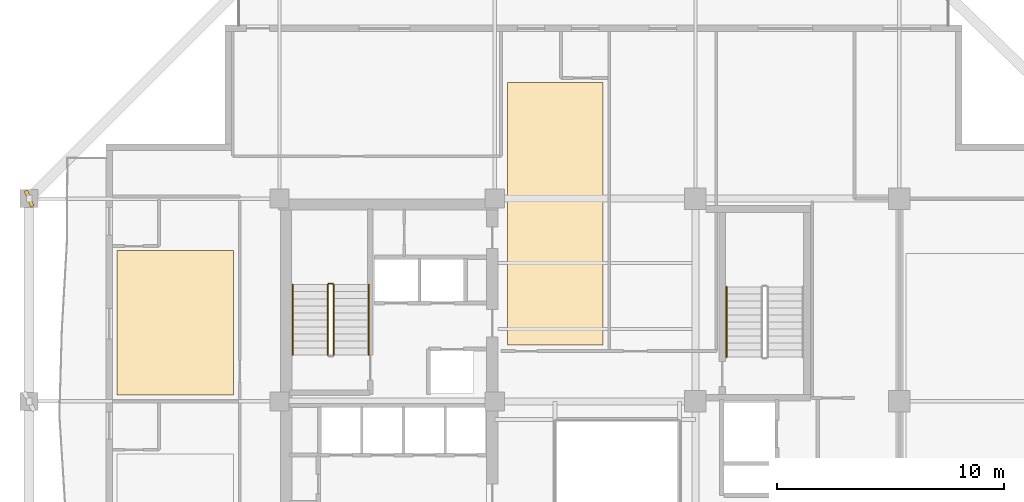
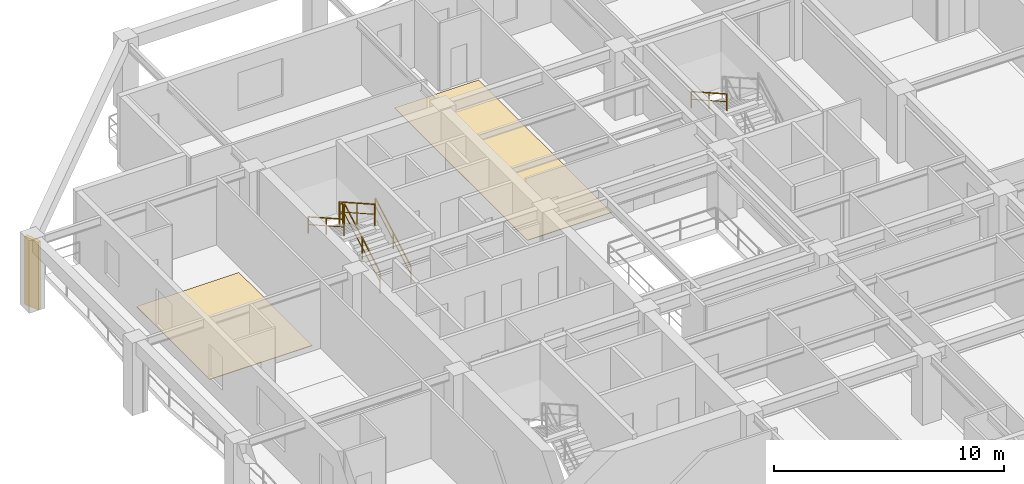
# One storey, part 11 of 13: 6 railings, 2 coverings, 1 shading device.
"""IFC4 building model written with IfcOpenShell, lengths in metres."""

from ifc_helpers import new_model, si_unit, direction, frame, origin, origin_2d, place, context, subcontext, project, spatial, polyline, rectangle, outline, extrude, material, layer, layer_set, type_object, element, save


model = new_model("IFC4")

# Units and contexts
model_context = context("Model", 3, precision=1e-05, world=origin(), true_north=direction((0.0, 1.0)))
body_context = subcontext(model_context, "Body", "Model", "MODEL_VIEW")
ifc_project = project(units=[si_unit("LENGTHUNIT", "METRE"), si_unit("AREAUNIT", "SQUARE_METRE"), si_unit("VOLUMEUNIT", "CUBIC_METRE"), si_unit("PLANEANGLEUNIT", "RADIAN"), si_unit("MASSUNIT", "GRAM", prefix="KILO")], contexts=[model_context])

# Site, building, storey
site_placement = place(None, origin())
site = spatial("IfcSite", under=ifc_project, at=site_placement, CompositionType="ELEMENT")
building_placement = place(site_placement, origin())
building = spatial("IfcBuilding", under=site, at=building_placement, Name="Kundavana Baori Tower", CompositionType="ELEMENT")
storey_placement = place(building_placement, frame((0.0, 0.0, 181.0)))
storey = spatial("IfcBuildingStorey", under=building, at=storey_placement, Name="L44", CompositionType="ELEMENT", Elevation=181.0)

# Coverings
ifc_material_1 = material(Name="Honed Kota Stone and Terrazzo Flooring", Category="masonry")
ifc_layer = layer(ifc_material_1, 0.030029296875, Name="COV-INT-FLR")
ifc_layer_set = layer_set([ifc_layer], Name="Honed Kota Stone and Terrazzo Flooring")
covering_type = type_object("IfcCoveringType", Name="COV-INT-FLR", PredefinedType="FLOORING", material=ifc_layer_set)
covering_1_placement = place(storey_placement, origin())
element("IfcCovering", 1, at=covering_1_placement, inside=storey, type_object=covering_type, Name="L44 Room Finished Stone Flooring 3", PredefinedType="FLOORING", context=body_context, shape_type="SweptSolid", body=[
    extrude(outline(polyline([(8.280029296875, 33.280029296875), (13.419921875, 33.280029296875), (13.419921875, 39.64990234375), (8.280029296875, 39.64990234375), (8.280029296875, 33.280029296875)])), origin(), (0.0, 0.0, 1.0), 0.030029296875),
])
covering_2_placement = place(storey_placement, origin())
element("IfcCovering", 2, at=covering_2_placement, inside=storey, type_object=covering_type, Name="L44 Room Finished Stone Flooring 9", PredefinedType="FLOORING", context=body_context, shape_type="SweptSolid", body=[
    extrude(outline(polyline([(25.5, 35.5), (29.719970703125, 35.5), (29.719970703125, 47.070068359375), (25.5, 47.070068359375), (25.5, 35.5)])), origin(), (0.0, 0.0, 1.0), 0.030029296875),
])

# Railings
ifc_material_2 = material(Name="Architectural Patinated Bronze Metalwork")
railing_type_1 = type_object("IfcRailingType", Name="RL-GRD-1150", PredefinedType="GUARDRAIL", material=ifc_material_2)
railing_1_placement = place(storey_placement, frame((17.840087890625, 35.050048828125, 0.175048828125)))
element("IfcRailing", 3, at=railing_1_placement, inside=storey, type_object=railing_type_1, Name="L44 ST2 stair guard 1", PredefinedType="GUARDRAIL", context=body_context, shape_type="SweptSolid", body=[
    extrude(rectangle(XDim=0.048095703125, YDim=0.048095703125, at=origin_2d()), frame((0.0, 0.0, 1.1259765625), z_axis=(0.0, 0.870814364268, 0.491611984175), x_axis=(-1.0, 0.0, 0.0)), (0.0, 0.0, 1.0), 3.559814453125),
    extrude(rectangle(XDim=0.03125, YDim=0.03125, at=origin_2d()), frame((0.0, 0.0, 0.597900390625), z_axis=(0.0, 0.870814364268, 0.491611984175), x_axis=(-1.0, 0.0, 0.0)), (0.0, 0.0, 1.0), 3.559814453125),
    extrude(rectangle(XDim=0.0419921875, YDim=0.0419921875, at=origin_2d()), origin(), (0.0, 0.0, 1.0), 1.101806640625),
    extrude(rectangle(XDim=0.0419921875, YDim=0.0419921875, at=origin_2d()), frame((0.0, 1.5498046875, 0.875)), (0.0, 0.0, 1.0), 1.101806640625),
    extrude(rectangle(XDim=0.0419921875, YDim=0.0419921875, at=origin_2d()), frame((0.0, 3.099853515625, 1.75)), (0.0, 0.0, 1.0), 1.101806640625),
])
railing_2_placement = place(storey_placement, frame((17.7900390625, 38.199951171875, 1.925048828125)))
element("IfcRailing", 4, at=railing_2_placement, inside=storey, type_object=railing_type_1, Name="L44 ST2 stair guard 2", PredefinedType="GUARDRAIL", context=body_context, shape_type="SweptSolid", body=[
    extrude(rectangle(XDim=0.048095703125, YDim=0.048095703125, at=origin_2d()), frame((0.0, 0.0, 1.1259765625), z_axis=(-1.0, 0.0, 0.0), x_axis=(0.0, -1.0, 0.0)), (0.0, 0.0, 1.0), 0.16015625),
    extrude(rectangle(XDim=0.03125, YDim=0.03125, at=origin_2d()), frame((0.0, 0.0, 0.597900390625), z_axis=(-1.0, 0.0, 0.0), x_axis=(0.0, -1.0, 0.0)), (0.0, 0.0, 1.0), 0.16015625),
    extrude(rectangle(XDim=0.0419921875, YDim=0.0419921875, at=origin_2d()), origin(), (0.0, 0.0, 1.0), 1.101806640625),
    extrude(rectangle(XDim=0.0419921875, YDim=0.0419921875, at=origin_2d()), frame((-0.16015625, 0.0, 0.0)), (0.0, 0.0, 1.0), 1.101806640625),
])
railing_3_placement = place(storey_placement, frame((17.580078125, 38.14990234375, 2.10009765625)))
element("IfcRailing", 5, at=railing_3_placement, inside=storey, type_object=railing_type_1, Name="L44 ST2 stair guard 3", PredefinedType="GUARDRAIL", context=body_context, shape_type="SweptSolid", body=[
    extrude(rectangle(XDim=0.048095703125, YDim=0.048095703125, at=origin_2d()), frame((0.0, 0.0, 1.1259765625), z_axis=(0.0, -0.870814364268, 0.491611984175), x_axis=(1.0, 0.0, 0.0)), (0.0, 0.0, 1.0), 3.559814453125),
    extrude(rectangle(XDim=0.03125, YDim=0.03125, at=origin_2d()), frame((0.0, 0.0, 0.597900390625), z_axis=(0.0, -0.870814364268, 0.491611984175), x_axis=(1.0, 0.0, 0.0)), (0.0, 0.0, 1.0), 3.559814453125),
    extrude(rectangle(XDim=0.0419921875, YDim=0.0419921875, at=origin_2d()), origin(), (0.0, 0.0, 1.0), 1.101806640625),
    extrude(rectangle(XDim=0.0419921875, YDim=0.0419921875, at=origin_2d()), frame((0.0, -1.5498046875, 0.875)), (0.0, 0.0, 1.0), 1.101806640625),
    extrude(rectangle(XDim=0.0419921875, YDim=0.0419921875, at=origin_2d()), frame((0.0, -3.099853515625, 1.75)), (0.0, 0.0, 1.0), 1.101806640625),
])
ifc_material_3 = material(Name="Architectural Patinated Bronze Metalwork")
railing_type_2 = type_object("IfcRailingType", Name="RL-HND-920", PredefinedType="HANDRAIL", material=ifc_material_3)
railing_4_placement = place(storey_placement, frame((19.389892578125, 35.050048828125, 0.175048828125)))
element("IfcRailing", 6, at=railing_4_placement, inside=storey, type_object=railing_type_2, Name="L44 ST2 stair handrail 1", PredefinedType="HANDRAIL", context=body_context, shape_type="SweptSolid", body=[
    extrude(rectangle(XDim=0.048095703125, YDim=0.048095703125, at=origin_2d()), frame((0.0, 0.0, 0.8759765625), z_axis=(0.0, 0.870814364268, 0.491611984175), x_axis=(-1.0, 0.0, 0.0)), (0.0, 0.0, 1.0), 3.559814453125),
    extrude(rectangle(XDim=0.03125, YDim=0.03125, at=origin_2d()), frame((0.0, 0.0, 0.468017578125), z_axis=(0.0, 0.870814364268, 0.491611984175), x_axis=(-1.0, 0.0, 0.0)), (0.0, 0.0, 1.0), 3.559814453125),
    extrude(rectangle(XDim=0.0419921875, YDim=0.0419921875, at=origin_2d()), origin(), (0.0, 0.0, 1.0), 0.851806640625),
    extrude(rectangle(XDim=0.0419921875, YDim=0.0419921875, at=origin_2d()), frame((0.0, 1.5498046875, 0.875)), (0.0, 0.0, 1.0), 0.851806640625),
    extrude(rectangle(XDim=0.0419921875, YDim=0.0419921875, at=origin_2d()), frame((0.0, 3.099853515625, 1.75)), (0.0, 0.0, 1.0), 0.851806640625),
])
railing_5_placement = place(storey_placement, frame((16.030029296875, 38.14990234375, 2.10009765625)))
element("IfcRailing", 7, at=railing_5_placement, inside=storey, type_object=railing_type_2, Name="L44 ST2 stair handrail 2", PredefinedType="HANDRAIL", context=body_context, shape_type="SweptSolid", body=[
    extrude(rectangle(XDim=0.048095703125, YDim=0.048095703125, at=origin_2d()), frame((0.0, 0.0, 0.8759765625), z_axis=(0.0, -0.870814364268, 0.491611984175), x_axis=(1.0, 0.0, 0.0)), (0.0, 0.0, 1.0), 3.559814453125),
    extrude(rectangle(XDim=0.03125, YDim=0.03125, at=origin_2d()), frame((0.0, 0.0, 0.468017578125), z_axis=(0.0, -0.870814364268, 0.491611984175), x_axis=(1.0, 0.0, 0.0)), (0.0, 0.0, 1.0), 3.559814453125),
    extrude(rectangle(XDim=0.0419921875, YDim=0.0419921875, at=origin_2d()), origin(), (0.0, 0.0, 1.0), 0.851806640625),
    extrude(rectangle(XDim=0.0419921875, YDim=0.0419921875, at=origin_2d()), frame((0.0, -1.5498046875, 0.875)), (0.0, 0.0, 1.0), 0.851806640625),
    extrude(rectangle(XDim=0.0419921875, YDim=0.0419921875, at=origin_2d()), frame((0.0, -3.099853515625, 1.75)), (0.0, 0.0, 1.0), 0.851806640625),
])
railing_6_placement = place(storey_placement, frame((35.169921875, 38.050048828125, 2.10009765625)))
element("IfcRailing", 8, at=railing_6_placement, inside=storey, type_object=railing_type_2, Name="L44 ST3 stair handrail 2", PredefinedType="HANDRAIL", context=body_context, shape_type="SweptSolid", body=[
    extrude(rectangle(XDim=0.048095703125, YDim=0.048095703125, at=origin_2d()), frame((0.0, 0.0, 0.8759765625), z_axis=(0.0, -0.870830938388, 0.491582624537), x_axis=(1.0, 0.0, 0.0)), (0.0, 0.0, 1.0), 3.559814453125),
    extrude(rectangle(XDim=0.03125, YDim=0.03125, at=origin_2d()), frame((0.0, 0.0, 0.468017578125), z_axis=(0.0, -0.870830938388, 0.491582624537), x_axis=(1.0, 0.0, 0.0)), (0.0, 0.0, 1.0), 3.559814453125),
    extrude(rectangle(XDim=0.0419921875, YDim=0.0419921875, at=origin_2d()), origin(), (0.0, 0.0, 1.0), 0.851806640625),
    extrude(rectangle(XDim=0.0419921875, YDim=0.0419921875, at=origin_2d()), frame((0.0, -1.550048828125, 0.875)), (0.0, 0.0, 1.0), 0.851806640625),
    extrude(rectangle(XDim=0.0419921875, YDim=0.0419921875, at=origin_2d()), frame((0.0, -3.10009765625, 1.75)), (0.0, 0.0, 1.0), 0.851806640625),
])

# Shading device
ifc_material_4 = material(Name="Red-Buff Dholpur Sandstone Cladding on Concrete C40/50", Category="masonry")
shading_device_type = type_object("IfcShadingDeviceType", Name="SHD-FIN-750", PredefinedType="JALOUSIE", material=ifc_material_4)
shading_device_placement = place(storey_placement, frame((4.39990234375, 41.949951171875, 0.0), z_axis=(0.0, 0.0, 1.0), x_axis=(0.926331513311, 0.376709340802, 0.0)))
element("IfcShadingDevice", 9, at=shading_device_placement, inside=storey, type_object=shading_device_type, Name="L44 Sweeping Dholpur Sandstone Facade Fin 8", PredefinedType="JALOUSIE", context=body_context, shape_type="SweptSolid", body=[
    extrude(rectangle(XDim=0.159912109375, YDim=0.75, at=origin_2d()), origin(), (0.0, 0.0, 1.0), 3.60009765625),
])

save(model, "model.ifc")
